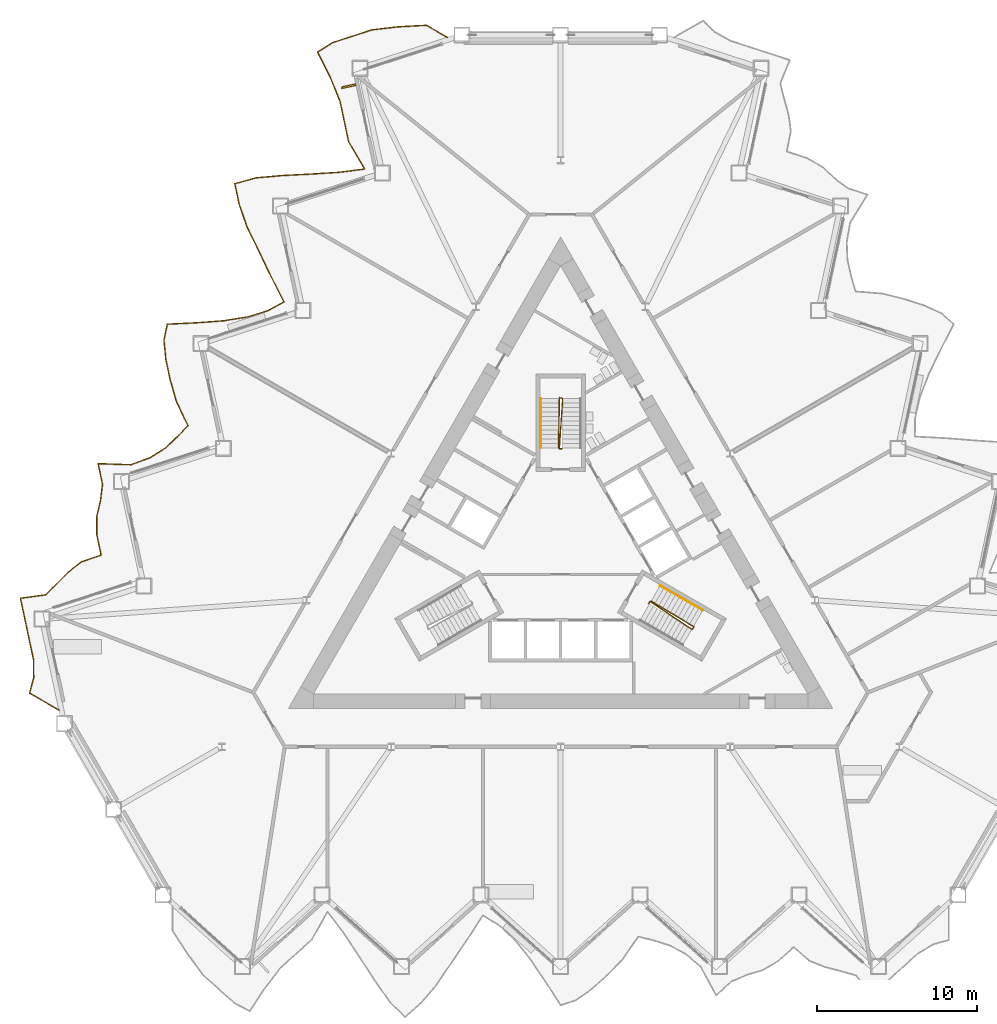
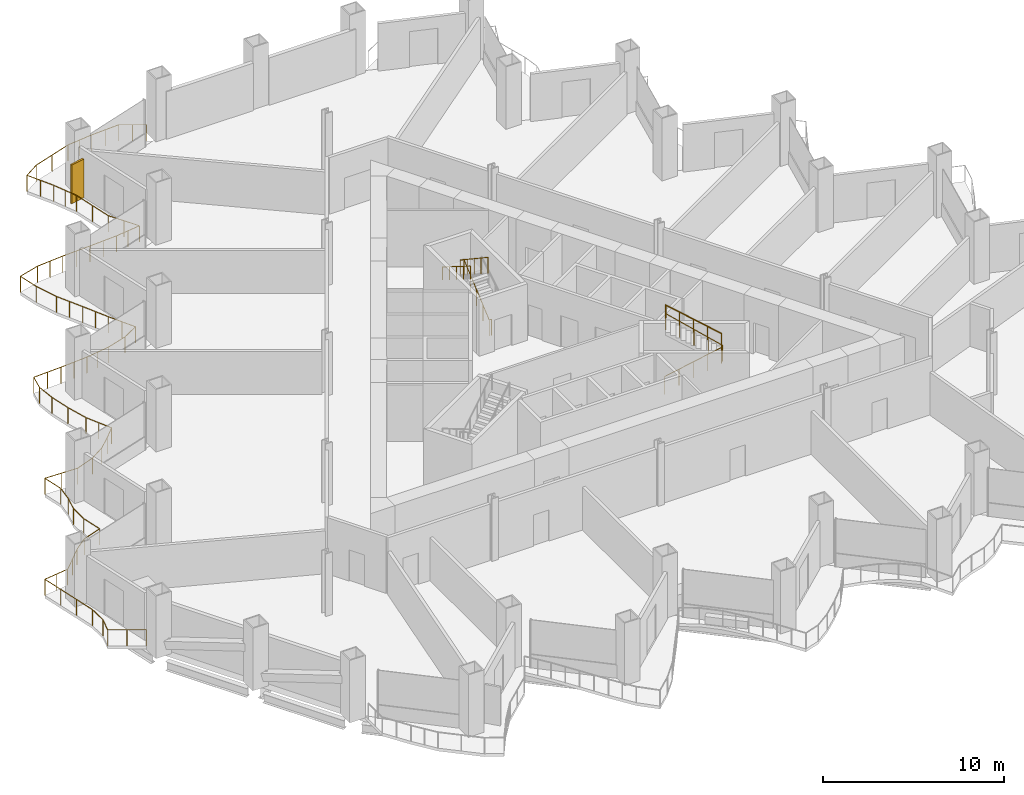
# One storey, part 18 of 21: 5 railings, 1 shading device.
"""IFC4 building model written with IfcOpenShell, lengths in metres."""

from ifc_helpers import new_model, si_unit, direction, frame, origin, origin_2d, place, context, subcontext, project, spatial, rectangle, circle, extrude, material, layer, layer_set, type_object, element, save


model = new_model("IFC4")

# Units and contexts
model_context = context("Model", 3, precision=1e-05, world=origin(), true_north=direction((0.0, 1.0)))
body_context = subcontext(model_context, "Body", "Model", "MODEL_VIEW")
ifc_project = project(units=[si_unit("LENGTHUNIT", "METRE"), si_unit("AREAUNIT", "SQUARE_METRE"), si_unit("VOLUMEUNIT", "CUBIC_METRE"), si_unit("PLANEANGLEUNIT", "RADIAN"), si_unit("MASSUNIT", "GRAM", prefix="KILO")], contexts=[model_context])

# Site, building, storey
site_placement = place(None, origin())
site = spatial("IfcSite", under=ifc_project, at=site_placement, CompositionType="ELEMENT")
building_placement = place(site_placement, origin())
building = spatial("IfcBuilding", under=site, at=building_placement, Name="Cormorant Prow Tower", CompositionType="ELEMENT")
storey_placement = place(building_placement, frame((0.0, 0.0, 51.0)))
storey = spatial("IfcBuildingStorey", under=building, at=storey_placement, Name="L10", CompositionType="ELEMENT", Elevation=51.0)

# Railings
ifc_material_1 = material(Name="Aluminium 6063-T6", Category="aluminium")
railing_type_1 = type_object("IfcRailingType", Name="Balcony guard 1100", PredefinedType="GUARDRAIL", material=ifc_material_1)
railing_1_placement = place(storey_placement, frame((-7.06591796875, 32.09619140625, 0.0)))
element("IfcRailing", 1, at=railing_1_placement, inside=storey, type_object=railing_type_1, Name="Balcony guard WNW", PredefinedType="GUARDRAIL", context=body_context, shape_type="SweptSolid", body=[
    extrude(circle(Radius=0.02392578125, at=origin_2d()), frame((0.0, 0.0, 1.076171875), z_axis=(-0.865990296034, 0.500060803479, 0.0), x_axis=(-0.500060803479, -0.865990296034, 0.0)), (0.0, 0.0, 1.0), 1.519775390625),
    extrude(circle(Radius=0.02392578125, at=origin_2d()), frame((-1.316162109375, 0.760009765625, 1.076171875), z_axis=(-0.998517338531, -0.054434590592, 0.0), x_axis=(0.054434590592, -0.998517338531, 0.0)), (0.0, 0.0, 1.0), 1.776123046875),
    extrude(circle(Radius=0.02392578125, at=origin_2d()), frame((-3.089599609375, 0.663330078125, 1.076171875), z_axis=(-0.993522534747, -0.11363526279, 0.0), x_axis=(0.11363526279, -0.993522534747, 0.0)), (0.0, 0.0, 1.0), 1.630615234375),
    extrude(circle(Radius=0.02392578125, at=origin_2d()), frame((-4.709716796875, 0.47802734375, 1.076171875), z_axis=(-0.951049180551, -0.309039570562, 0.0), x_axis=(0.309039570562, -0.951049180551, 0.0)), (0.0, 0.0, 1.0), 1.305908203125),
    extrude(circle(Radius=0.02392578125, at=origin_2d()), frame((-5.95166015625, 0.074462890625, 1.076171875), z_axis=(-0.951067031183, -0.308984631004, 0.0), x_axis=(0.308984631004, -0.951067031183, 0.0)), (0.0, 0.0, 1.0), 1.30615234375),
    extrude(circle(Radius=0.02392578125, at=origin_2d()), frame((-7.19384765625, -0.3291015625, 1.076171875), z_axis=(-0.843698219054, -0.536817767185, 0.0), x_axis=(0.536817767185, -0.843698219054, 0.0)), (0.0, 0.0, 1.0), 1.0947265625),
    extrude(circle(Radius=0.02392578125, at=origin_2d()), frame((-8.117431640625, -0.916748046875, 1.076171875), z_axis=(0.44887173014, -0.893596200686, 0.0), x_axis=(0.893596200686, 0.44887173014, 0.0)), (0.0, 0.0, 1.0), 1.76611328125),
    extrude(circle(Radius=0.02392578125, at=origin_2d()), frame((-7.32470703125, -2.494873046875, 1.076171875), z_axis=(0.378968463583, -0.925409586945, 0.0), x_axis=(0.925409586945, 0.378968463583, 0.0)), (0.0, 0.0, 1.0), 1.586181640625),
    extrude(circle(Radius=0.02392578125, at=origin_2d()), frame((-6.7236328125, -3.962646484375, 1.076171875), z_axis=(0.207894531291, -0.978151247946, 0.0), x_axis=(0.978151247946, 0.207894531291, 0.0)), (0.0, 0.0, 1.0), 1.305908203125),
    extrude(circle(Radius=0.02392578125, at=origin_2d()), frame((-6.4521484375, -5.239990234375, 1.076171875), z_axis=(0.207856520253, -0.978159325973, 0.0), x_axis=(0.978159325973, 0.207856520253, 0.0)), (0.0, 0.0, 1.0), 1.30615234375),
    extrude(circle(Radius=0.02392578125, at=origin_2d()), frame((-6.1806640625, -6.517578125, 1.076171875), z_axis=(0.507982665152, -0.861367292103, 0.0), x_axis=(0.861367292103, 0.507982665152, 0.0)), (0.0, 0.0, 1.0), 1.972412109375),
    extrude(circle(Radius=0.02392578125, at=origin_2d()), frame((-5.1787109375, -8.216552734375, 1.076171875), z_axis=(-0.991647214586, -0.128979850379, 0.0), x_axis=(0.128979850379, -0.991647214586, 0.0)), (0.0, 0.0, 1.0), 1.59765625),
    extrude(circle(Radius=0.02392578125, at=origin_2d()), frame((-6.762939453125, -8.422607421875, 1.076171875), z_axis=(-0.998037387878, -0.062620862318, 0.0), x_axis=(0.062620862318, -0.998037387878, 0.0)), (0.0, 0.0, 1.0), 1.75439453125),
    extrude(circle(Radius=0.02392578125, at=origin_2d()), frame((-8.513916015625, -8.532470703125, 1.076171875), z_axis=(-0.998758457633, -0.04981509115, 0.0), x_axis=(0.04981509115, -0.998758457633, 0.0)), (0.0, 0.0, 1.0), 1.788818359375),
    extrude(circle(Radius=0.02392578125, at=origin_2d()), frame((-10.300537109375, -8.62158203125, 1.076171875), z_axis=(-0.996079436676, -0.088463302169, 0.0), x_axis=(0.088463302169, -0.996079436676, 0.0)), (0.0, 0.0, 1.0), 1.68896484375),
    extrude(circle(Radius=0.02392578125, at=origin_2d()), frame((-11.98291015625, -8.77099609375, 1.076171875), z_axis=(-0.962750578639, -0.270391056304, 0.0), x_axis=(0.270391056304, -0.962750578639, 0.0)), (0.0, 0.0, 1.0), 1.356201171875),
    extrude(circle(Radius=0.02392578125, at=origin_2d()), frame((-13.28857421875, -9.1376953125, 1.076171875), z_axis=(0.207856520253, -0.978159325973, 0.0), x_axis=(0.978159325973, 0.207856520253, 0.0)), (0.0, 0.0, 1.0), 1.30615234375),
    extrude(circle(Radius=0.02392578125, at=origin_2d()), frame((-13.01708984375, -10.415283203125, 1.076171875), z_axis=(0.324104480533, -0.946021292413, 0.0), x_axis=(0.946021292413, 0.324104480533, 0.0)), (0.0, 0.0, 1.0), 1.476318359375),
    extrude(circle(Radius=0.02392578125, at=origin_2d()), frame((-12.53857421875, -11.81201171875, 1.076171875), z_axis=(0.440130608618, -0.897933765574, 0.0), x_axis=(0.897933765574, 0.440130608618, 0.0)), (0.0, 0.0, 1.0), 1.74072265625),
    extrude(circle(Radius=0.02392578125, at=origin_2d()), frame((-11.7724609375, -13.375, 1.076171875), z_axis=(0.431027312147, -0.902338881011, 0.0), x_axis=(0.902338881011, 0.431027312147, 0.0)), (0.0, 0.0, 1.0), 1.715087890625),
    extrude(circle(Radius=0.02392578125, at=origin_2d()), frame((-11.033203125, -14.922607421875, 1.076171875), z_axis=(0.455019487551, -0.890481479846, 0.0), x_axis=(0.890481479846, 0.455019487551, 0.0)), (0.0, 0.0, 1.0), 1.78515625),
    extrude(circle(Radius=0.02392578125, at=origin_2d()), frame((-10.220947265625, -16.51220703125, 1.076171875), z_axis=(-0.87344335233, -0.486925774908, 0.0), x_axis=(0.486925774908, -0.87344335233, 0.0)), (0.0, 0.0, 1.0), 1.130615234375),
    extrude(circle(Radius=0.02392578125, at=origin_2d()), frame((-11.20849609375, -17.062744140625, 1.076171875), z_axis=(-0.954404207013, -0.29851735232, 0.0), x_axis=(0.29851735232, -0.954404207013, 0.0)), (0.0, 0.0, 1.0), 1.319091796875),
    extrude(circle(Radius=0.02392578125, at=origin_2d()), frame((-12.467529296875, -17.45654296875, 1.076171875), z_axis=(-0.987908612353, -0.155037329822, 0.0), x_axis=(0.155037329822, -0.987908612353, 0.0)), (0.0, 0.0, 1.0), 1.544921875),
    extrude(circle(Radius=0.02392578125, at=origin_2d()), frame((-13.99365234375, -17.696044921875, 1.076171875), z_axis=(-0.997256543763, -0.07402287431, 0.0), x_axis=(0.07402287431, -0.997256543763, 0.0)), (0.0, 0.0, 1.0), 1.724853515625),
    extrude(circle(Radius=0.02392578125, at=origin_2d()), frame((-15.7138671875, -17.82373046875, 1.076171875), z_axis=(-0.998837748193, -0.048199095265, 0.0), x_axis=(0.048199095265, -0.998837748193, 0.0)), (0.0, 0.0, 1.0), 1.793212890625),
    extrude(circle(Radius=0.02392578125, at=origin_2d()), frame((-17.5048828125, -17.91015625, 1.076171875), z_axis=(-0.203000450605, -0.979178644096, 0.0), x_axis=(0.979178644096, -0.203000450605, 0.0)), (0.0, 0.0, 1.0), 1.022216796875),
    extrude(circle(Radius=0.02392578125, at=origin_2d()), frame((-17.71240234375, -18.9111328125, 1.076171875), z_axis=(0.09583336332, -0.995397391234, 0.0), x_axis=(0.995397391234, 0.09583336332, 0.0)), (0.0, 0.0, 1.0), 1.192138671875),
    extrude(circle(Radius=0.02392578125, at=origin_2d()), frame((-17.59814453125, -20.097900390625, 1.076171875), z_axis=(0.207894531291, -0.978151247946, 0.0), x_axis=(0.978151247946, 0.207894531291, 0.0)), (0.0, 0.0, 1.0), 1.305908203125),
    extrude(circle(Radius=0.02392578125, at=origin_2d()), frame((-17.32666015625, -21.375244140625, 1.076171875), z_axis=(0.271939345535, -0.962314393715, 0.0), x_axis=(0.962314393715, 0.271939345535, 0.0)), (0.0, 0.0, 1.0), 1.3916015625),
    extrude(circle(Radius=0.02392578125, at=origin_2d()), frame((-16.9482421875, -22.71435546875, 1.076171875), z_axis=(0.428295338336, -0.903638812336, 0.0), x_axis=(0.903638812336, 0.428295338336, 0.0)), (0.0, 0.0, 1.0), 1.707275390625),
    extrude(circle(Radius=0.02392578125, at=origin_2d()), frame((-16.217041015625, -24.257080078125, 1.076171875), z_axis=(-0.694049726297, -0.719927063964, 0.0), x_axis=(0.719927063964, -0.694049726297, 0.0)), (0.0, 0.0, 1.0), 1.0),
    extrude(circle(Radius=0.02392578125, at=origin_2d()), frame((-16.9111328125, -24.97705078125, 1.076171875), z_axis=(-0.734877098339, -0.678200302519, 0.0), x_axis=(0.678200302519, -0.734877098339, 0.0)), (0.0, 0.0, 1.0), 1.0166015625),
    extrude(circle(Radius=0.02392578125, at=origin_2d()), frame((-17.658203125, -25.66650390625, 1.076171875), z_axis=(-0.845499485471, -0.533976235491, 0.0), x_axis=(0.533976235491, -0.845499485471, 0.0)), (0.0, 0.0, 1.0), 1.096435546875),
    extrude(circle(Radius=0.02392578125, at=origin_2d()), frame((-18.585205078125, -26.251953125, 1.076171875), z_axis=(-0.9391608117, -0.34347775731, 0.0), x_axis=(0.34347775731, -0.9391608117, 0.0)), (0.0, 0.0, 1.0), 1.26513671875),
    extrude(circle(Radius=0.02392578125, at=origin_2d()), frame((-19.7734375, -26.6865234375, 1.076171875), z_axis=(-0.999517861856, 0.031049055218, 0.0), x_axis=(-0.031049055218, -0.999517861856, 0.0)), (0.0, 0.0, 1.0), 2.05224609375),
    extrude(circle(Radius=0.02392578125, at=origin_2d()), frame((-21.82470703125, -26.622802734375, 1.076171875), z_axis=(0.207856520253, -0.978159325973, 0.0), x_axis=(0.978159325973, 0.207856520253, 0.0)), (0.0, 0.0, 1.0), 1.30615234375),
    extrude(circle(Radius=0.02392578125, at=origin_2d()), frame((-21.55322265625, -27.900390625, 1.076171875), z_axis=(-0.117887281495, -0.993026982947, 0.0), x_axis=(0.993026982947, -0.117887281495, 0.0)), (0.0, 0.0, 1.0), 1.05615234375),
    extrude(circle(Radius=0.02392578125, at=origin_2d()), frame((-21.677734375, -28.94921875, 1.076171875), z_axis=(-0.235088794818, -0.971973898081, 0.0), x_axis=(0.971973898081, -0.235088794818, 0.0)), (0.0, 0.0, 1.0), 1.011474609375),
    extrude(circle(Radius=0.02392578125, at=origin_2d()), frame((-21.91552734375, -29.932373046875, 1.076171875), z_axis=(0.006942770397, -0.999975898679, 0.0), x_axis=(0.999975898679, 0.006942770397, 0.0)), (0.0, 0.0, 1.0), 1.125244140625),
    extrude(circle(Radius=0.02392578125, at=origin_2d()), frame((-21.90771484375, -31.0576171875, 1.076171875), z_axis=(0.207856520253, -0.978159325973, 0.0), x_axis=(0.978159325973, 0.207856520253, 0.0)), (0.0, 0.0, 1.0), 1.30615234375),
    extrude(circle(Radius=0.02392578125, at=origin_2d()), frame((-21.63623046875, -32.335205078125, 1.076171875), z_axis=(-0.946870718951, -0.321614430013, 0.0), x_axis=(0.321614430013, -0.946870718951, 0.0)), (0.0, 0.0, 1.0), 1.29052734375),
    extrude(circle(Radius=0.02392578125, at=origin_2d()), frame((-22.858154296875, -32.750244140625, 1.076171875), z_axis=(-0.787918275033, -0.615779824182, 0.0), x_axis=(0.615779824182, -0.787918275033, 0.0)), (0.0, 0.0, 1.0), 1.046630859375),
    extrude(circle(Radius=0.02392578125, at=origin_2d()), frame((-23.682861328125, -33.394775390625, 1.076171875), z_axis=(-0.701484416498, -0.712684792465, 0.0), x_axis=(0.712684792465, -0.701484416498, 0.0)), (0.0, 0.0, 1.0), 1.002685546875),
    extrude(circle(Radius=0.02392578125, at=origin_2d()), frame((-24.38623046875, -34.109375, 1.076171875), z_axis=(-0.714815599377, -0.699312990647, 0.0), x_axis=(0.699312990647, -0.714815599377, 0.0)), (0.0, 0.0, 1.0), 1.0078125),
    extrude(circle(Radius=0.02392578125, at=origin_2d()), frame((-25.106689453125, -34.814208984375, 1.076171875), z_axis=(-0.990858260816, -0.134907030848, 0.0), x_axis=(0.134907030848, -0.990858260816, 0.0)), (0.0, 0.0, 1.0), 1.585205078125),
    extrude(circle(Radius=0.02392578125, at=origin_2d()), frame((-26.677490234375, -35.028076171875, 1.076171875), z_axis=(0.208073396131, -0.978113215238, 0.0), x_axis=(0.978113215238, 0.208073396131, 0.0)), (0.0, 0.0, 1.0), 1.305908203125),
    extrude(circle(Radius=0.02392578125, at=origin_2d()), frame((-26.40576171875, -36.305419921875, 1.076171875), z_axis=(0.207856520253, -0.978159325973, 0.0), x_axis=(0.978159325973, 0.207856520253, 0.0)), (0.0, 0.0, 1.0), 1.30615234375),
    extrude(circle(Radius=0.02392578125, at=origin_2d()), frame((-26.13427734375, -37.5830078125, 1.076171875), z_axis=(0.207894531291, -0.978151247946, 0.0), x_axis=(0.978151247946, 0.207894531291, 0.0)), (0.0, 0.0, 1.0), 1.305908203125),
    extrude(circle(Radius=0.02392578125, at=origin_2d()), frame((-25.86279296875, -38.8603515625, 1.076171875), z_axis=(0.012971881448, -0.999915861606, 0.0), x_axis=(0.999915861606, 0.012971881448, 0.0)), (0.0, 0.0, 1.0), 1.129150390625),
    extrude(circle(Radius=0.02392578125, at=origin_2d()), frame((-25.84814453125, -39.989501953125, 1.076171875), z_axis=(-0.258796817064, -0.965931782, 0.0), x_axis=(0.965931782, -0.258796817064, 0.0)), (0.0, 0.0, 1.0), 1.004638671875),
    extrude(circle(Radius=0.02392578125, at=origin_2d()), frame((-26.108154296875, -40.9599609375, 1.076171875), z_axis=(0.866027189425, -0.499996907167, 0.0), x_axis=(0.499996907167, 0.866027189425, 0.0)), (0.0, 0.0, 1.0), 2.13037109375),
    extrude(circle(Radius=0.02099609375, at=origin_2d()), origin(), (0.0, 0.0, 1.0), 1.052001953125),
    extrude(circle(Radius=0.02099609375, at=origin_2d()), frame((-0.658203125, 0.3798828125, 0.0)), (0.0, 0.0, 1.0), 1.052001953125),
    extrude(circle(Radius=0.02099609375, at=origin_2d()), frame((-1.316162109375, 0.760009765625, 0.0)), (0.0, 0.0, 1.0), 1.052001953125),
    extrude(circle(Radius=0.02099609375, at=origin_2d()), frame((-2.202880859375, 0.711669921875, 0.0)), (0.0, 0.0, 1.0), 1.052001953125),
    extrude(circle(Radius=0.02099609375, at=origin_2d()), frame((-3.089599609375, 0.663330078125, 0.0)), (0.0, 0.0, 1.0), 1.052001953125),
    extrude(circle(Radius=0.02099609375, at=origin_2d()), frame((-3.899658203125, 0.57080078125, 0.0)), (0.0, 0.0, 1.0), 1.052001953125),
    extrude(circle(Radius=0.02099609375, at=origin_2d()), frame((-4.709716796875, 0.47802734375, 0.0)), (0.0, 0.0, 1.0), 1.052001953125),
    extrude(circle(Radius=0.02099609375, at=origin_2d()), frame((-5.95166015625, 0.074462890625, 0.0)), (0.0, 0.0, 1.0), 1.052001953125),
    extrude(circle(Radius=0.02099609375, at=origin_2d()), frame((-7.19384765625, -0.3291015625, 0.0)), (0.0, 0.0, 1.0), 1.052001953125),
    extrude(circle(Radius=0.02099609375, at=origin_2d()), frame((-8.117431640625, -0.916748046875, 0.0)), (0.0, 0.0, 1.0), 1.052001953125),
    extrude(circle(Radius=0.02099609375, at=origin_2d()), frame((-7.72119140625, -1.705810546875, 0.0)), (0.0, 0.0, 1.0), 1.052001953125),
    extrude(circle(Radius=0.02099609375, at=origin_2d()), frame((-7.32470703125, -2.494873046875, 0.0)), (0.0, 0.0, 1.0), 1.052001953125),
    extrude(circle(Radius=0.02099609375, at=origin_2d()), frame((-7.024169921875, -3.228759765625, 0.0)), (0.0, 0.0, 1.0), 1.052001953125),
    extrude(circle(Radius=0.02099609375, at=origin_2d()), frame((-6.7236328125, -3.962646484375, 0.0)), (0.0, 0.0, 1.0), 1.052001953125),
    extrude(circle(Radius=0.02099609375, at=origin_2d()), frame((-6.4521484375, -5.239990234375, 0.0)), (0.0, 0.0, 1.0), 1.052001953125),
    extrude(circle(Radius=0.02099609375, at=origin_2d()), frame((-6.1806640625, -6.517578125, 0.0)), (0.0, 0.0, 1.0), 1.052001953125),
    extrude(circle(Radius=0.02099609375, at=origin_2d()), frame((-5.6796875, -7.3671875, 0.0)), (0.0, 0.0, 1.0), 1.052001953125),
    extrude(circle(Radius=0.02099609375, at=origin_2d()), frame((-5.1787109375, -8.216552734375, 0.0)), (0.0, 0.0, 1.0), 1.052001953125),
    extrude(circle(Radius=0.02099609375, at=origin_2d()), frame((-5.970703125, -8.319580078125, 0.0)), (0.0, 0.0, 1.0), 1.052001953125),
    extrude(circle(Radius=0.02099609375, at=origin_2d()), frame((-6.762939453125, -8.422607421875, 0.0)), (0.0, 0.0, 1.0), 1.052001953125),
    extrude(circle(Radius=0.02099609375, at=origin_2d()), frame((-7.638427734375, -8.4775390625, 0.0)), (0.0, 0.0, 1.0), 1.052001953125),
    extrude(circle(Radius=0.02099609375, at=origin_2d()), frame((-8.513916015625, -8.532470703125, 0.0)), (0.0, 0.0, 1.0), 1.052001953125),
    extrude(circle(Radius=0.02099609375, at=origin_2d()), frame((-9.4072265625, -8.5771484375, 0.0)), (0.0, 0.0, 1.0), 1.052001953125),
    extrude(circle(Radius=0.02099609375, at=origin_2d()), frame((-10.300537109375, -8.62158203125, 0.0)), (0.0, 0.0, 1.0), 1.052001953125),
    extrude(circle(Radius=0.02099609375, at=origin_2d()), frame((-11.1416015625, -8.6962890625, 0.0)), (0.0, 0.0, 1.0), 1.052001953125),
    extrude(circle(Radius=0.02099609375, at=origin_2d()), frame((-11.98291015625, -8.77099609375, 0.0)), (0.0, 0.0, 1.0), 1.052001953125),
    extrude(circle(Radius=0.02099609375, at=origin_2d()), frame((-13.28857421875, -9.1376953125, 0.0)), (0.0, 0.0, 1.0), 1.052001953125),
    extrude(circle(Radius=0.02099609375, at=origin_2d()), frame((-13.01708984375, -10.415283203125, 0.0)), (0.0, 0.0, 1.0), 1.052001953125),
    extrude(circle(Radius=0.02099609375, at=origin_2d()), frame((-12.53857421875, -11.81201171875, 0.0)), (0.0, 0.0, 1.0), 1.052001953125),
    extrude(circle(Radius=0.02099609375, at=origin_2d()), frame((-12.155517578125, -12.593505859375, 0.0)), (0.0, 0.0, 1.0), 1.052001953125),
    extrude(circle(Radius=0.02099609375, at=origin_2d()), frame((-11.7724609375, -13.375, 0.0)), (0.0, 0.0, 1.0), 1.052001953125),
    extrude(circle(Radius=0.02099609375, at=origin_2d()), frame((-11.40283203125, -14.14892578125, 0.0)), (0.0, 0.0, 1.0), 1.052001953125),
    extrude(circle(Radius=0.02099609375, at=origin_2d()), frame((-11.033203125, -14.922607421875, 0.0)), (0.0, 0.0, 1.0), 1.052001953125),
    extrude(circle(Radius=0.02099609375, at=origin_2d()), frame((-10.626953125, -15.71728515625, 0.0)), (0.0, 0.0, 1.0), 1.052001953125),
    extrude(circle(Radius=0.02099609375, at=origin_2d()), frame((-10.220947265625, -16.51220703125, 0.0)), (0.0, 0.0, 1.0), 1.052001953125),
    extrude(circle(Radius=0.02099609375, at=origin_2d()), frame((-11.20849609375, -17.062744140625, 0.0)), (0.0, 0.0, 1.0), 1.052001953125),
    extrude(circle(Radius=0.02099609375, at=origin_2d()), frame((-12.467529296875, -17.45654296875, 0.0)), (0.0, 0.0, 1.0), 1.052001953125),
    extrude(circle(Radius=0.02099609375, at=origin_2d()), frame((-13.23046875, -17.576171875, 0.0)), (0.0, 0.0, 1.0), 1.052001953125),
    extrude(circle(Radius=0.02099609375, at=origin_2d()), frame((-13.99365234375, -17.696044921875, 0.0)), (0.0, 0.0, 1.0), 1.052001953125),
    extrude(circle(Radius=0.02099609375, at=origin_2d()), frame((-14.853759765625, -17.759765625, 0.0)), (0.0, 0.0, 1.0), 1.052001953125),
    extrude(circle(Radius=0.02099609375, at=origin_2d()), frame((-15.7138671875, -17.82373046875, 0.0)), (0.0, 0.0, 1.0), 1.052001953125),
    extrude(circle(Radius=0.02099609375, at=origin_2d()), frame((-16.609375, -17.866943359375, 0.0)), (0.0, 0.0, 1.0), 1.052001953125),
    extrude(circle(Radius=0.02099609375, at=origin_2d()), frame((-17.5048828125, -17.91015625, 0.0)), (0.0, 0.0, 1.0), 1.052001953125),
    extrude(circle(Radius=0.02099609375, at=origin_2d()), frame((-17.71240234375, -18.9111328125, 0.0)), (0.0, 0.0, 1.0), 1.052001953125),
    extrude(circle(Radius=0.02099609375, at=origin_2d()), frame((-17.59814453125, -20.097900390625, 0.0)), (0.0, 0.0, 1.0), 1.052001953125),
    extrude(circle(Radius=0.02099609375, at=origin_2d()), frame((-17.32666015625, -21.375244140625, 0.0)), (0.0, 0.0, 1.0), 1.052001953125),
    extrude(circle(Radius=0.02099609375, at=origin_2d()), frame((-16.9482421875, -22.71435546875, 0.0)), (0.0, 0.0, 1.0), 1.052001953125),
    extrude(circle(Radius=0.02099609375, at=origin_2d()), frame((-16.58251953125, -23.48583984375, 0.0)), (0.0, 0.0, 1.0), 1.052001953125),
    extrude(circle(Radius=0.02099609375, at=origin_2d()), frame((-16.217041015625, -24.257080078125, 0.0)), (0.0, 0.0, 1.0), 1.052001953125),
    extrude(circle(Radius=0.02099609375, at=origin_2d()), frame((-16.9111328125, -24.97705078125, 0.0)), (0.0, 0.0, 1.0), 1.052001953125),
    extrude(circle(Radius=0.02099609375, at=origin_2d()), frame((-17.658203125, -25.66650390625, 0.0)), (0.0, 0.0, 1.0), 1.052001953125),
    extrude(circle(Radius=0.02099609375, at=origin_2d()), frame((-18.585205078125, -26.251953125, 0.0)), (0.0, 0.0, 1.0), 1.052001953125),
    extrude(circle(Radius=0.02099609375, at=origin_2d()), frame((-19.7734375, -26.6865234375, 0.0)), (0.0, 0.0, 1.0), 1.052001953125),
    extrude(circle(Radius=0.02099609375, at=origin_2d()), frame((-20.799072265625, -26.65478515625, 0.0)), (0.0, 0.0, 1.0), 1.052001953125),
    extrude(circle(Radius=0.02099609375, at=origin_2d()), frame((-21.82470703125, -26.622802734375, 0.0)), (0.0, 0.0, 1.0), 1.052001953125),
    extrude(circle(Radius=0.02099609375, at=origin_2d()), frame((-21.55322265625, -27.900390625, 0.0)), (0.0, 0.0, 1.0), 1.052001953125),
    extrude(circle(Radius=0.02099609375, at=origin_2d()), frame((-21.677734375, -28.94921875, 0.0)), (0.0, 0.0, 1.0), 1.052001953125),
    extrude(circle(Radius=0.02099609375, at=origin_2d()), frame((-21.91552734375, -29.932373046875, 0.0)), (0.0, 0.0, 1.0), 1.052001953125),
    extrude(circle(Radius=0.02099609375, at=origin_2d()), frame((-21.90771484375, -31.0576171875, 0.0)), (0.0, 0.0, 1.0), 1.052001953125),
    extrude(circle(Radius=0.02099609375, at=origin_2d()), frame((-21.63623046875, -32.335205078125, 0.0)), (0.0, 0.0, 1.0), 1.052001953125),
    extrude(circle(Radius=0.02099609375, at=origin_2d()), frame((-22.858154296875, -32.750244140625, 0.0)), (0.0, 0.0, 1.0), 1.052001953125),
    extrude(circle(Radius=0.02099609375, at=origin_2d()), frame((-23.682861328125, -33.394775390625, 0.0)), (0.0, 0.0, 1.0), 1.052001953125),
    extrude(circle(Radius=0.02099609375, at=origin_2d()), frame((-24.38623046875, -34.109375, 0.0)), (0.0, 0.0, 1.0), 1.052001953125),
    extrude(circle(Radius=0.02099609375, at=origin_2d()), frame((-25.106689453125, -34.814208984375, 0.0)), (0.0, 0.0, 1.0), 1.052001953125),
    extrude(circle(Radius=0.02099609375, at=origin_2d()), frame((-25.89208984375, -34.921142578125, 0.0)), (0.0, 0.0, 1.0), 1.052001953125),
    extrude(circle(Radius=0.02099609375, at=origin_2d()), frame((-26.677490234375, -35.028076171875, 0.0)), (0.0, 0.0, 1.0), 1.052001953125),
    extrude(circle(Radius=0.02099609375, at=origin_2d()), frame((-26.40576171875, -36.305419921875, 0.0)), (0.0, 0.0, 1.0), 1.052001953125),
    extrude(circle(Radius=0.02099609375, at=origin_2d()), frame((-26.13427734375, -37.5830078125, 0.0)), (0.0, 0.0, 1.0), 1.052001953125),
    extrude(circle(Radius=0.02099609375, at=origin_2d()), frame((-25.86279296875, -38.8603515625, 0.0)), (0.0, 0.0, 1.0), 1.052001953125),
    extrude(circle(Radius=0.02099609375, at=origin_2d()), frame((-25.84814453125, -39.989501953125, 0.0)), (0.0, 0.0, 1.0), 1.052001953125),
    extrude(circle(Radius=0.02099609375, at=origin_2d()), frame((-26.108154296875, -40.9599609375, 0.0)), (0.0, 0.0, 1.0), 1.052001953125),
    extrude(circle(Radius=0.02099609375, at=origin_2d()), frame((-25.185546875, -41.49267578125, 0.0)), (0.0, 0.0, 1.0), 1.052001953125),
    extrude(circle(Radius=0.02099609375, at=origin_2d()), frame((-24.26318359375, -42.025146484375, 0.0)), (0.0, 0.0, 1.0), 1.052001953125),
])
ifc_material_2 = material(Name="Stainless steel", Category="steel")
railing_type_2 = type_object("IfcRailingType", Name="Stair guard 1100", PredefinedType="GUARDRAIL", material=ifc_material_2)
railing_2_placement = place(storey_placement, frame((5.510009765625, -3.267822265625, 0.0)))
element("IfcRailing", 2, at=railing_2_placement, inside=storey, type_object=railing_type_2, Name="L10 ST2 stair guard 1", PredefinedType="GUARDRAIL", context=body_context, shape_type="SweptSolid", body=[
    extrude(circle(Radius=0.02392578125, at=origin_2d()), frame((0.0, 0.0, 1.076171875), z_axis=(0.501036270542, 0.865426285481, 0.0), x_axis=(-0.865426285481, 0.501036270542, 0.0)), (0.0, 0.0, 1.0), 0.150146484375),
    extrude(circle(Radius=0.02392578125, at=origin_2d()), frame((0.0751953125, 0.1298828125, 1.076171875), z_axis=(0.691630634645, -0.46052652377, 0.556383308633), x_axis=(0.554233058506, 0.832361530141, 0.0)), (0.0, 0.0, 1.0), 3.774658203125),
    extrude(circle(Radius=0.02392578125, at=origin_2d()), frame((2.685791015625, -1.6083984375, 3.17626953125), z_axis=(0.695164929852, 0.718850276695, 0.0), x_axis=(-0.718850276695, 0.695164929852, 0.0)), (0.0, 0.0, 1.0), 0.2060546875),
    extrude(circle(Radius=0.02392578125, at=origin_2d()), frame((2.8291015625, -1.460205078125, 3.17626953125), z_axis=(-0.712489022558, 0.426677363931, 0.55705100291), x_axis=(-0.513773053629, -0.857926132814, 0.0)), (0.0, 0.0, 1.0), 3.76953125),
    extrude(circle(Radius=0.02099609375, at=origin_2d()), origin(), (0.0, 0.0, 1.0), 1.052001953125),
    extrude(circle(Radius=0.02099609375, at=origin_2d()), frame((0.0751953125, 0.1298828125, 0.0)), (0.0, 0.0, 1.0), 1.052001953125),
    extrude(circle(Radius=0.02099609375, at=origin_2d()), frame((0.727783203125, -0.3046875, 0.52490234375)), (0.0, 0.0, 1.0), 1.052001953125),
    extrude(circle(Radius=0.02099609375, at=origin_2d()), frame((1.38037109375, -0.7392578125, 1.050048828125)), (0.0, 0.0, 1.0), 1.052001953125),
    extrude(circle(Radius=0.02099609375, at=origin_2d()), frame((2.033203125, -1.173828125, 1.5751953125)), (0.0, 0.0, 1.0), 1.052001953125),
    extrude(circle(Radius=0.02099609375, at=origin_2d()), frame((2.685791015625, -1.6083984375, 2.10009765625)), (0.0, 0.0, 1.0), 1.052001953125),
    extrude(circle(Radius=0.02099609375, at=origin_2d()), frame((2.8291015625, -1.460205078125, 2.10009765625)), (0.0, 0.0, 1.0), 1.052001953125),
    extrude(circle(Radius=0.02099609375, at=origin_2d()), frame((2.15771484375, -1.05810546875, 2.625)), (0.0, 0.0, 1.0), 1.052001953125),
    extrude(circle(Radius=0.02099609375, at=origin_2d()), frame((1.486328125, -0.656005859375, 3.14990234375)), (0.0, 0.0, 1.0), 1.052001953125),
    extrude(circle(Radius=0.02099609375, at=origin_2d()), frame((0.814697265625, -0.25390625, 3.675048828125)), (0.0, 0.0, 1.0), 1.052001953125),
    extrude(circle(Radius=0.02099609375, at=origin_2d()), frame((0.143310546875, 0.148193359375, 4.199951171875)), (0.0, 0.0, 1.0), 1.052001953125),
])
railing_3_placement = place(storey_placement, frame((0.074951171875, 6.40576171875, 0.0)))
element("IfcRailing", 3, at=railing_3_placement, inside=storey, type_object=railing_type_2, Name="L10 ST3 stair guard 1", PredefinedType="GUARDRAIL", context=body_context, shape_type="SweptSolid", body=[
    extrude(circle(Radius=0.02392578125, at=origin_2d()), frame((0.0, 0.0, 1.076171875), z_axis=(-1.0, 0.0, 0.0), x_axis=(0.0, -1.0, 0.0)), (0.0, 0.0, 1.0), 0.14990234375),
    extrude(circle(Radius=0.02392578125, at=origin_2d()), frame((-0.14990234375, 0.0, 1.076171875), z_axis=(0.052971918151, 0.829246596605, 0.556366837532), x_axis=(-0.997965923181, 0.063749636618, 0.0)), (0.0, 0.0, 1.0), 3.774658203125),
    extrude(circle(Radius=0.02392578125, at=origin_2d()), frame((0.050048828125, 3.130126953125, 3.17626953125), z_axis=(-0.970072785993, 0.242814311512, 0.0), x_axis=(-0.242814311512, -0.970072785993, 0.0)), (0.0, 0.0, 1.0), 0.2060546875),
    extrude(circle(Radius=0.02392578125, at=origin_2d()), frame((-0.14990234375, 3.18017578125, 3.17626953125), z_axis=(-0.013277099958, -0.830369261271, 0.557055301162), x_axis=(0.999872194171, -0.015987348866, 0.0)), (0.0, 0.0, 1.0), 3.76953125),
    extrude(circle(Radius=0.02099609375, at=origin_2d()), origin(), (0.0, 0.0, 1.0), 1.052001953125),
    extrude(circle(Radius=0.02099609375, at=origin_2d()), frame((-0.14990234375, 0.0, 0.0)), (0.0, 0.0, 1.0), 1.052001953125),
    extrude(circle(Radius=0.02099609375, at=origin_2d()), frame((-0.099853515625, 0.782470703125, 0.52490234375)), (0.0, 0.0, 1.0), 1.052001953125),
    extrude(circle(Radius=0.02099609375, at=origin_2d()), frame((-0.0498046875, 1.56494140625, 1.050048828125)), (0.0, 0.0, 1.0), 1.052001953125),
    extrude(circle(Radius=0.02099609375, at=origin_2d()), frame((0.0, 2.34765625, 1.5751953125)), (0.0, 0.0, 1.0), 1.052001953125),
    extrude(circle(Radius=0.02099609375, at=origin_2d()), frame((0.050048828125, 3.130126953125, 2.10009765625)), (0.0, 0.0, 1.0), 1.052001953125),
    extrude(circle(Radius=0.02099609375, at=origin_2d()), frame((-0.14990234375, 3.18017578125, 2.10009765625)), (0.0, 0.0, 1.0), 1.052001953125),
    extrude(circle(Radius=0.02099609375, at=origin_2d()), frame((-0.162353515625, 2.397705078125, 2.625)), (0.0, 0.0, 1.0), 1.052001953125),
    extrude(circle(Radius=0.02099609375, at=origin_2d()), frame((-0.1748046875, 1.615234375, 3.14990234375)), (0.0, 0.0, 1.0), 1.052001953125),
    extrude(circle(Radius=0.02099609375, at=origin_2d()), frame((-0.1875, 0.83251953125, 3.675048828125)), (0.0, 0.0, 1.0), 1.052001953125),
    extrude(circle(Radius=0.02099609375, at=origin_2d()), frame((-0.199951171875, 0.050048828125, 4.199951171875)), (0.0, 0.0, 1.0), 1.052001953125),
])
ifc_material_3 = material(Name="Stainless steel", Category="steel")
railing_type_3 = type_object("IfcRailingType", Name="Stair handrail 900", PredefinedType="HANDRAIL", material=ifc_material_3)
railing_4_placement = place(storey_placement, frame((8.88037109375, -3.690673828125, 2.27490234375)))
element("IfcRailing", 4, at=railing_4_placement, inside=storey, type_object=railing_type_3, Name="L10 ST2 stair handrail 2", PredefinedType="HANDRAIL", context=body_context, shape_type="SweptSolid", body=[
    extrude(circle(Radius=0.02392578125, at=origin_2d()), frame((0.0, 0.0, 0.8759765625), z_axis=(-0.734394994316, 0.423994474112, 0.52999309264), x_axis=(-0.499992328818, -0.866029832698, 0.0)), (0.0, 0.0, 1.0), 3.63232421875),
    extrude(circle(Radius=0.02099609375, at=origin_2d()), origin(), (0.0, 0.0, 1.0), 0.851806640625),
    extrude(circle(Radius=0.02099609375, at=origin_2d()), frame((-0.6669921875, 0.385009765625, 0.481201171875)), (0.0, 0.0, 1.0), 0.851806640625),
    extrude(circle(Radius=0.02099609375, at=origin_2d()), frame((-1.333740234375, 0.77001953125, 0.96240234375)), (0.0, 0.0, 1.0), 0.851806640625),
    extrude(circle(Radius=0.02099609375, at=origin_2d()), frame((-2.00048828125, 1.155029296875, 1.44384765625)), (0.0, 0.0, 1.0), 0.851806640625),
    extrude(circle(Radius=0.02099609375, at=origin_2d()), frame((-2.66748046875, 1.5400390625, 1.925048828125)), (0.0, 0.0, 1.0), 0.851806640625),
])
railing_5_placement = place(storey_placement, frame((-1.243896484375, 9.535888671875, 2.27490234375)))
element("IfcRailing", 5, at=railing_5_placement, inside=storey, type_object=railing_type_3, Name="L10 ST3 stair handrail 2", PredefinedType="HANDRAIL", context=body_context, shape_type="SweptSolid", body=[
    extrude(circle(Radius=0.02392578125, at=origin_2d()), frame((0.0, 0.0, 0.8759765625), z_axis=(0.0, -0.847998304005, 0.529998940003), x_axis=(1.0, 0.0, 0.0)), (0.0, 0.0, 1.0), 3.632080078125),
    extrude(circle(Radius=0.02099609375, at=origin_2d()), origin(), (0.0, 0.0, 1.0), 0.851806640625),
    extrude(circle(Radius=0.02099609375, at=origin_2d()), frame((0.0, -0.77001953125, 0.481201171875)), (0.0, 0.0, 1.0), 0.851806640625),
    extrude(circle(Radius=0.02099609375, at=origin_2d()), frame((0.0, -1.5400390625, 0.96240234375)), (0.0, 0.0, 1.0), 0.851806640625),
    extrude(circle(Radius=0.02099609375, at=origin_2d()), frame((0.0, -2.31005859375, 1.44384765625)), (0.0, 0.0, 1.0), 0.851806640625),
    extrude(circle(Radius=0.02099609375, at=origin_2d()), frame((0.0, -3.080078125, 1.925048828125)), (0.0, 0.0, 1.0), 0.851806640625),
])

# Shading device
ifc_material_4 = material(Name="Terracotta", Category="masonry")
ifc_layer = layer(ifc_material_4, 0.1201171875)
ifc_layer_set = layer_set([ifc_layer], Name="Terracotta")
shading_device_type = type_object("IfcShadingDeviceType", Name="Terracotta baguette fin 120x900x2600", PredefinedType="USERDEFINED", material=ifc_layer_set)
shading_device_placement = place(storey_placement, frame((-13.228515625, 29.048583984375, 0.0), z_axis=(0.0, 0.0, 1.0), x_axis=(0.207911695052, -0.978147599834, 0.0)))
element("IfcShadingDevice", 6, at=shading_device_placement, inside=storey, type_object=shading_device_type, Name="Baguette fin WNW01", ObjectType="BAGUETTE", PredefinedType="USERDEFINED", context=body_context, shape_type="SweptSolid", body=[
    extrude(rectangle(XDim=0.1201171875, YDim=0.89990234375, at=origin_2d()), origin(), (0.0, 0.0, 1.0), 2.60009765625),
])

save(model, "model.ifc")
